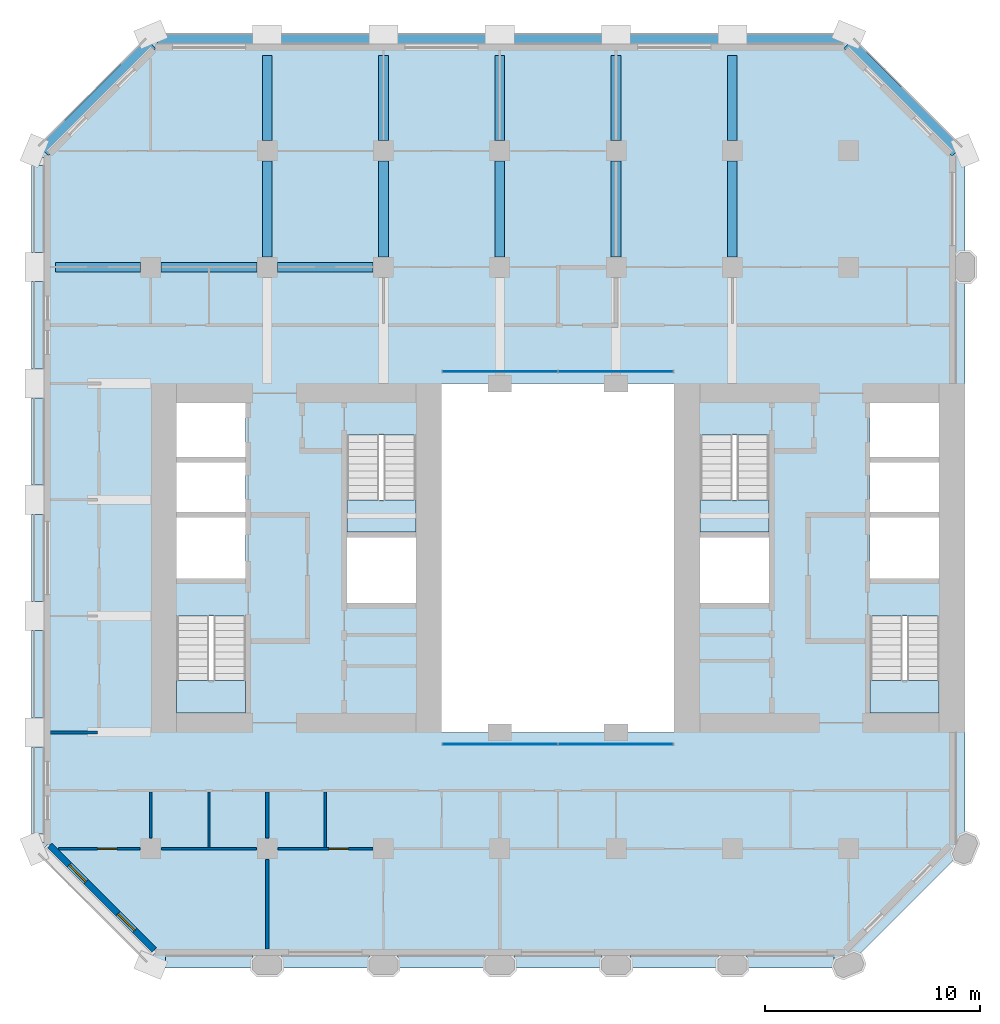
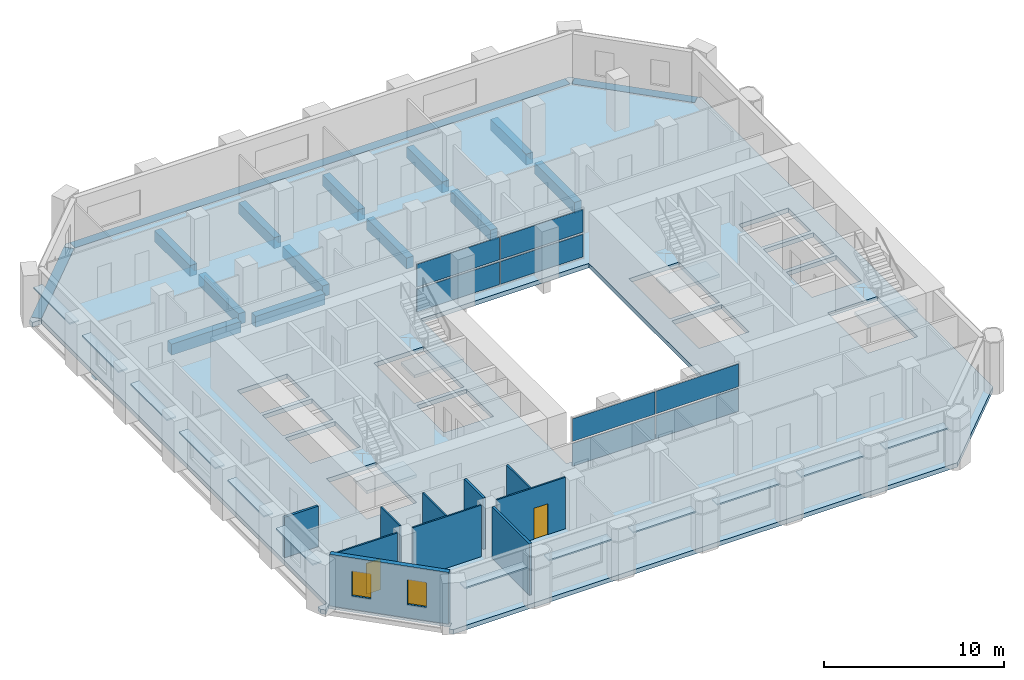
# One storey, part 5 of 13: 20 plates, 16 beams, 10 walls, 5 slabs, 2 doors, 2 windows, 4 openings, 6 elements without a shape of their own.
"""IFC4 building model written with IfcOpenShell, lengths in metres."""

from ifc_helpers import new_model, si_unit, direction, frame, frame_2d, origin, origin_2d, place, context, subcontext, project, spatial, polyline, rectangle, outline, extrude, material, layer, layer_set, material_profile, profile_set, type_object, element, fill, aggregate, save


model = new_model("IFC4")

# Units and contexts
model_context = context("Model", 3, precision=1e-05, world=origin(), true_north=direction((0.0, 1.0)))
body_context = subcontext(model_context, "Body", "Model", "MODEL_VIEW")
ifc_project = project(units=[si_unit("LENGTHUNIT", "METRE"), si_unit("AREAUNIT", "SQUARE_METRE"), si_unit("VOLUMEUNIT", "CUBIC_METRE"), si_unit("PLANEANGLEUNIT", "RADIAN"), si_unit("MASSUNIT", "GRAM", prefix="KILO")], contexts=[model_context])

# Site, building, storey
site_placement = place(None, origin())
site = spatial("IfcSite", under=ifc_project, at=site_placement, CompositionType="ELEMENT")
building_placement = place(site_placement, origin())
building = spatial("IfcBuilding", under=site, at=building_placement, Name="Tabaq Tower and Sports Hall", CompositionType="ELEMENT")
storey_placement = place(building_placement, frame((0.0, 0.0, 114.39990234375)))
storey = spatial("IfcBuildingStorey", under=building, at=storey_placement, Name="L27", CompositionType="ELEMENT", Elevation=114.39990234375)

# Beams
ifc_material_1 = material(Name="Concrete C40/50", Category="concrete")
ifc_material_profile_1 = material_profile(ifc_material_1, rectangle(XDim=0.449951171875, YDim=0.75, at=origin_2d()), Name="CB 450x750")
ifc_profile_set_1 = profile_set([ifc_material_profile_1], Name="Concrete C40/50")
beam_type_1 = type_object("IfcBeamType", Name="PT CANTILEVER BEAM CB 450x750 C40/50", PredefinedType="BEAM", material=ifc_profile_set_1)
beam_1_placement = place(storey_placement, frame((0.97509765625, 37.800048828125, -0.6748046875), z_axis=(1.0, 0.0, 0.0), x_axis=(0.0, 1.0, 0.0)))
element("IfcBeam", 1, at=beam_1_placement, inside=storey, type_object=beam_type_1, Name="Cantilever Beam L27 W7 span 1", PredefinedType="BEAM", context=body_context, shape_type="SweptSolid", body=[
    extrude(rectangle(XDim=0.449951171875, YDim=0.75, at=origin_2d()), origin(), (0.0, 0.0, 1.0), 3.949951171875),
])
beam_2_placement = place(storey_placement, frame((5.875, 37.800048828125, -0.6748046875), z_axis=(1.0, 0.0, 0.0), x_axis=(0.0, 1.0, 0.0)))
element("IfcBeam", 2, at=beam_2_placement, inside=storey, type_object=beam_type_1, Name="Cantilever Beam L27 W7 span 2", PredefinedType="BEAM", context=body_context, shape_type="SweptSolid", body=[
    extrude(rectangle(XDim=0.449951171875, YDim=0.75, at=origin_2d()), origin(), (0.0, 0.0, 1.0), 4.449951171875),
])
beam_3_placement = place(storey_placement, frame((11.27490234375, 37.800048828125, -0.6748046875), z_axis=(1.0, 0.0, 0.0), x_axis=(0.0, 1.0, 0.0)))
element("IfcBeam", 3, at=beam_3_placement, inside=storey, type_object=beam_type_1, Name="Cantilever Beam L27 W7 span 3", PredefinedType="BEAM", context=body_context, shape_type="SweptSolid", body=[
    extrude(rectangle(XDim=0.449951171875, YDim=0.75, at=origin_2d()), origin(), (0.0, 0.0, 1.0), 4.4501953125),
])
beam_4_placement = place(storey_placement, frame((10.800048828125, 47.625, -0.6748046875), z_axis=(0.0, -1.0, 0.0), x_axis=(1.0, 0.0, 0.0)))
element("IfcBeam", 4, at=beam_4_placement, inside=storey, type_object=beam_type_1, Name="Cantilever Beam L27 N2 span 1", PredefinedType="BEAM", context=body_context, shape_type="SweptSolid", body=[
    extrude(rectangle(XDim=0.449951171875, YDim=0.75, at=origin_2d()), origin(), (0.0, 0.0, 1.0), 3.949951171875),
])
beam_5_placement = place(storey_placement, frame((10.800048828125, 42.72509765625, -0.6748046875), z_axis=(0.0, -1.0, 0.0), x_axis=(1.0, 0.0, 0.0)))
element("IfcBeam", 5, at=beam_5_placement, inside=storey, type_object=beam_type_1, Name="Cantilever Beam L27 N2 span 2", PredefinedType="BEAM", context=body_context, shape_type="SweptSolid", body=[
    extrude(rectangle(XDim=0.449951171875, YDim=0.75, at=origin_2d()), origin(), (0.0, 0.0, 1.0), 4.4501953125),
])
beam_6_placement = place(storey_placement, frame((16.199951171875, 47.625, -0.6748046875), z_axis=(0.0, -1.0, 0.0), x_axis=(1.0, 0.0, 0.0)))
element("IfcBeam", 6, at=beam_6_placement, inside=storey, type_object=beam_type_1, Name="Cantilever Beam L27 N3 span 1", PredefinedType="BEAM", context=body_context, shape_type="SweptSolid", body=[
    extrude(rectangle(XDim=0.449951171875, YDim=0.75, at=origin_2d()), origin(), (0.0, 0.0, 1.0), 3.949951171875),
])
beam_7_placement = place(storey_placement, frame((16.199951171875, 42.72509765625, -0.6748046875), z_axis=(0.0, -1.0, 0.0), x_axis=(1.0, 0.0, 0.0)))
element("IfcBeam", 7, at=beam_7_placement, inside=storey, type_object=beam_type_1, Name="Cantilever Beam L27 N3 span 2", PredefinedType="BEAM", context=body_context, shape_type="SweptSolid", body=[
    extrude(rectangle(XDim=0.449951171875, YDim=0.75, at=origin_2d()), origin(), (0.0, 0.0, 1.0), 4.4501953125),
])
beam_8_placement = place(storey_placement, frame((21.60009765625, 47.625, -0.6748046875), z_axis=(0.0, -1.0, 0.0), x_axis=(1.0, 0.0, 0.0)))
element("IfcBeam", 8, at=beam_8_placement, inside=storey, type_object=beam_type_1, Name="Cantilever Beam L27 N4 span 1", PredefinedType="BEAM", context=body_context, shape_type="SweptSolid", body=[
    extrude(rectangle(XDim=0.449951171875, YDim=0.75, at=origin_2d()), origin(), (0.0, 0.0, 1.0), 3.949951171875),
])
beam_9_placement = place(storey_placement, frame((21.60009765625, 42.72509765625, -0.6748046875), z_axis=(0.0, -1.0, 0.0), x_axis=(1.0, 0.0, 0.0)))
element("IfcBeam", 9, at=beam_9_placement, inside=storey, type_object=beam_type_1, Name="Cantilever Beam L27 N4 span 2", PredefinedType="BEAM", context=body_context, shape_type="SweptSolid", body=[
    extrude(rectangle(XDim=0.449951171875, YDim=0.75, at=origin_2d()), origin(), (0.0, 0.0, 1.0), 4.4501953125),
])
beam_10_placement = place(storey_placement, frame((27.0, 47.625, -0.6748046875), z_axis=(0.0, -1.0, 0.0), x_axis=(1.0, 0.0, 0.0)))
element("IfcBeam", 10, at=beam_10_placement, inside=storey, type_object=beam_type_1, Name="Cantilever Beam L27 N5 span 1", PredefinedType="BEAM", context=body_context, shape_type="SweptSolid", body=[
    extrude(rectangle(XDim=0.449951171875, YDim=0.75, at=origin_2d()), origin(), (0.0, 0.0, 1.0), 3.949951171875),
])
beam_11_placement = place(storey_placement, frame((27.0, 42.72509765625, -0.6748046875), z_axis=(0.0, -1.0, 0.0), x_axis=(1.0, 0.0, 0.0)))
element("IfcBeam", 11, at=beam_11_placement, inside=storey, type_object=beam_type_1, Name="Cantilever Beam L27 N5 span 2", PredefinedType="BEAM", context=body_context, shape_type="SweptSolid", body=[
    extrude(rectangle(XDim=0.449951171875, YDim=0.75, at=origin_2d()), origin(), (0.0, 0.0, 1.0), 4.4501953125),
])
beam_12_placement = place(storey_placement, frame((32.39990234375, 47.625, -0.6748046875), z_axis=(0.0, -1.0, 0.0), x_axis=(1.0, 0.0, 0.0)))
element("IfcBeam", 12, at=beam_12_placement, inside=storey, type_object=beam_type_1, Name="Cantilever Beam L27 N6 span 1", PredefinedType="BEAM", context=body_context, shape_type="SweptSolid", body=[
    extrude(rectangle(XDim=0.449951171875, YDim=0.75, at=origin_2d()), origin(), (0.0, 0.0, 1.0), 3.949951171875),
])
beam_13_placement = place(storey_placement, frame((32.39990234375, 42.72509765625, -0.6748046875), z_axis=(0.0, -1.0, 0.0), x_axis=(1.0, 0.0, 0.0)))
element("IfcBeam", 13, at=beam_13_placement, inside=storey, type_object=beam_type_1, Name="Cantilever Beam L27 N6 span 2", PredefinedType="BEAM", context=body_context, shape_type="SweptSolid", body=[
    extrude(rectangle(XDim=0.449951171875, YDim=0.75, at=origin_2d()), origin(), (0.0, 0.0, 1.0), 4.4501953125),
])
ifc_material_2 = material(Name="Concrete C40/50", Category="concrete")
ifc_material_profile_2 = material_profile(ifc_material_2, rectangle(XDim=0.60009765625, YDim=0.300048828125, at=origin_2d()), Name="EB 600x300")
ifc_profile_set_2 = profile_set([ifc_material_profile_2], Name="Concrete C40/50")
beam_type_2 = type_object("IfcBeamType", Name="PT EDGE BEAM EB 600x300 C40/50", PredefinedType="SPANDREL", material=ifc_profile_set_2)
beam_14_placement = place(storey_placement, frame((42.81103515625, 43.16455078125, -0.14990234375), z_axis=(-0.707089559252, 0.707124002701, 0.0), x_axis=(-0.707124002701, -0.707089559252, 0.0)))
element("IfcBeam", 14, at=beam_14_placement, inside=storey, type_object=beam_type_2, Name="Edge Beam L27 1", PredefinedType="SPANDREL", context=body_context, shape_type="SweptSolid", body=[
    extrude(rectangle(XDim=0.60009765625, YDim=0.300048828125, at=origin_2d()), origin(), (0.0, 0.0, 1.0), 7.088134765625),
])
beam_15_placement = place(storey_placement, frame((37.50146484375, 48.300048828125, -0.14990234375), z_axis=(-1.0, 0.0, 0.0), x_axis=(0.0, -1.0, 0.0)))
element("IfcBeam", 15, at=beam_15_placement, inside=storey, type_object=beam_type_2, Name="Edge Beam L27 2", PredefinedType="SPANDREL", context=body_context, shape_type="SweptSolid", body=[
    extrude(rectangle(XDim=0.60009765625, YDim=0.300048828125, at=origin_2d()), origin(), (0.0, 0.0, 1.0), 31.802978515625),
])
beam_16_placement = place(storey_placement, frame((5.401123046875, 48.1767578125, -0.14990234375), z_axis=(-0.707106781187, -0.707106781187, 0.0), x_axis=(0.707106781187, -0.707106781187, 0.0)))
element("IfcBeam", 16, at=beam_16_placement, inside=storey, type_object=beam_type_2, Name="Edge Beam L27 3", PredefinedType="SPANDREL", context=body_context, shape_type="SweptSolid", body=[
    extrude(rectangle(XDim=0.60009765625, YDim=0.300048828125, at=origin_2d()), origin(), (0.0, 0.0, 1.0), 7.03955078125),
])

# Curtain wall, plates
ifc_material_3 = material(Name="Aluminium alloy 6063-T6 framed glazing", Category="aluminium")
curtain_wall_type = type_object("IfcCurtainWallType", Name="CW1 curtain wall", PredefinedType="USERDEFINED", material=ifc_material_3)
curtain_wall_1_placement = place(storey_placement, origin())
curtain_wall_1 = element("IfcCurtainWall", 17, at=curtain_wall_1_placement, inside=storey, type_object=curtain_wall_type, Name="Atrium glazing L27 S", ObjectType="ATRIUM ENCLOSURE", PredefinedType="USERDEFINED")
ifc_material_4 = material(Name="Clear low-emissivity glass 28 mm", Category="glass")
ifc_layer_1 = layer(ifc_material_4, 0.028076171875)
ifc_layer_set_1 = layer_set([ifc_layer_1], Name="CW1 glass panel 28")
plate_type_1 = type_object("IfcPlateType", Name="CW1 glass panel 28", PredefinedType="CURTAIN_PANEL", material=ifc_layer_set_1)
plate_1_placement = place(storey_placement, frame((21.614990234375, 15.64990234375, 0.14013671875), z_axis=(0.0, 0.0, 1.0), x_axis=(1.0, 0.0, 0.0)))
plate_1 = element("IfcPlate", 18, at=plate_1_placement, type_object=plate_type_1, Name="CW1 panel 1.1", PredefinedType="CURTAIN_PANEL", context=body_context, shape_type="SweptSolid", body=[
    extrude(rectangle(XDim=5.31005859375, YDim=0.028076171875, at=origin_2d()), origin(), (0.0, 0.0, 1.0), 1.5400390625),
])
plate_2_placement = place(storey_placement, frame((21.614990234375, 15.64990234375, 1.820068359375), z_axis=(0.0, 0.0, 1.0), x_axis=(1.0, 0.0, 0.0)))
plate_2 = element("IfcPlate", 19, at=plate_2_placement, type_object=plate_type_1, Name="CW1 panel 1.2", PredefinedType="CURTAIN_PANEL", context=body_context, shape_type="SweptSolid", body=[
    extrude(rectangle(XDim=5.31005859375, YDim=0.028076171875, at=origin_2d()), origin(), (0.0, 0.0, 1.0), 1.5400390625),
])
plate_3_placement = place(storey_placement, frame((26.985107421875, 15.64990234375, 0.14013671875), z_axis=(0.0, 0.0, 1.0), x_axis=(1.0, 0.0, 0.0)))
plate_3 = element("IfcPlate", 20, at=plate_3_placement, type_object=plate_type_1, Name="CW1 panel 2.1", PredefinedType="CURTAIN_PANEL", context=body_context, shape_type="SweptSolid", body=[
    extrude(rectangle(XDim=5.31005859375, YDim=0.028076171875, at=origin_2d()), origin(), (0.0, 0.0, 1.0), 1.5400390625),
])
plate_4_placement = place(storey_placement, frame((26.985107421875, 15.64990234375, 1.820068359375), z_axis=(0.0, 0.0, 1.0), x_axis=(1.0, 0.0, 0.0)))
plate_4 = element("IfcPlate", 21, at=plate_4_placement, type_object=plate_type_1, Name="CW1 panel 2.2", PredefinedType="CURTAIN_PANEL", context=body_context, shape_type="SweptSolid", body=[
    extrude(rectangle(XDim=5.31005859375, YDim=0.028076171875, at=origin_2d()), origin(), (0.0, 0.0, 1.0), 1.5400390625),
])
aggregate(curtain_wall_1, [plate_1, plate_2, plate_3, plate_4])

curtain_wall_2_placement = place(storey_placement, origin())
curtain_wall_2 = element("IfcCurtainWall", 22, at=curtain_wall_2_placement, inside=storey, type_object=curtain_wall_type, Name="Atrium glazing L27 N", ObjectType="ATRIUM ENCLOSURE", PredefinedType="USERDEFINED")
plate_5_placement = place(storey_placement, frame((21.614990234375, 32.949951171875, 0.14013671875), z_axis=(0.0, 0.0, 1.0), x_axis=(1.0, 0.0, 0.0)))
plate_5 = element("IfcPlate", 23, at=plate_5_placement, type_object=plate_type_1, Name="CW1 panel 1.1", PredefinedType="CURTAIN_PANEL", context=body_context, shape_type="SweptSolid", body=[
    extrude(rectangle(XDim=5.31005859375, YDim=0.028076171875, at=origin_2d()), origin(), (0.0, 0.0, 1.0), 1.5400390625),
])
plate_6_placement = place(storey_placement, frame((21.614990234375, 32.949951171875, 1.820068359375), z_axis=(0.0, 0.0, 1.0), x_axis=(1.0, 0.0, 0.0)))
plate_6 = element("IfcPlate", 24, at=plate_6_placement, type_object=plate_type_1, Name="CW1 panel 1.2", PredefinedType="CURTAIN_PANEL", context=body_context, shape_type="SweptSolid", body=[
    extrude(rectangle(XDim=5.31005859375, YDim=0.028076171875, at=origin_2d()), origin(), (0.0, 0.0, 1.0), 1.5400390625),
])
plate_7_placement = place(storey_placement, frame((26.985107421875, 32.949951171875, 0.14013671875), z_axis=(0.0, 0.0, 1.0), x_axis=(1.0, 0.0, 0.0)))
plate_7 = element("IfcPlate", 25, at=plate_7_placement, type_object=plate_type_1, Name="CW1 panel 2.1", PredefinedType="CURTAIN_PANEL", context=body_context, shape_type="SweptSolid", body=[
    extrude(rectangle(XDim=5.31005859375, YDim=0.028076171875, at=origin_2d()), origin(), (0.0, 0.0, 1.0), 1.5400390625),
])
plate_8_placement = place(storey_placement, frame((26.985107421875, 32.949951171875, 1.820068359375), z_axis=(0.0, 0.0, 1.0), x_axis=(1.0, 0.0, 0.0)))
plate_8 = element("IfcPlate", 26, at=plate_8_placement, type_object=plate_type_1, Name="CW1 panel 2.2", PredefinedType="CURTAIN_PANEL", context=body_context, shape_type="SweptSolid", body=[
    extrude(rectangle(XDim=5.31005859375, YDim=0.028076171875, at=origin_2d()), origin(), (0.0, 0.0, 1.0), 1.5400390625),
])
aggregate(curtain_wall_2, [plate_5, plate_6, plate_7, plate_8])

# Stair, slab
ifc_material_5 = material(Name="Concrete C40/50", Category="concrete")
stair_type = type_object("IfcStairType", Name="Exit stair", PredefinedType="HALF_TURN_STAIR", material=ifc_material_5)
stair_1_placement = place(storey_placement, origin())
stair_1 = element("IfcStair", 27, at=stair_1_placement, inside=storey, type_object=stair_type, Name="L27 Exit stair ST1", PredefinedType="HALF_TURN_STAIR")
ifc_material_6 = material(Name="Concrete C40/50", Category="concrete")
ifc_layer_2 = layer(ifc_material_6, 0.199951171875)
ifc_layer_set_2 = layer_set([ifc_layer_2], Name="Exit stair landing")
slab_type_1 = type_object("IfcSlabType", Name="Exit stair landing", PredefinedType="LANDING", material=ifc_layer_set_2)
slab_1_placement = place(storey_placement, frame((0.0, 0.0, 1.7001953125)))
slab_1 = element("IfcSlab", 28, at=slab_1_placement, type_object=slab_type_1, Name="ST1 landing 1", PredefinedType="LANDING", context=body_context, shape_type="SweptSolid", body=[
    extrude(outline(polyline([(6.60009765625, 18.60009765625), (6.60009765625, 17.10009765625), (9.800048828125, 17.10009765625), (9.800048828125, 18.60009765625), (6.60009765625, 18.60009765625)])), origin(), (0.0, 0.0, 1.0), 0.199951171875),
])
aggregate(stair_1, [slab_1])

stair_2_placement = place(storey_placement, origin())
stair_2 = element("IfcStair", 29, at=stair_2_placement, inside=storey, type_object=stair_type, Name="L27 Exit stair ST2", PredefinedType="HALF_TURN_STAIR")
slab_2_placement = place(storey_placement, frame((0.0, 0.0, 1.7001953125)))
slab_2 = element("IfcSlab", 30, at=slab_2_placement, type_object=slab_type_1, Name="ST2 landing 1", PredefinedType="LANDING", context=body_context, shape_type="SweptSolid", body=[
    extrude(outline(polyline([(14.5, 27.0), (14.5, 25.5), (17.699951171875, 25.5), (17.699951171875, 27.0), (14.5, 27.0)])), origin(), (0.0, 0.0, 1.0), 0.199951171875),
])
aggregate(stair_2, [slab_2])

stair_3_placement = place(storey_placement, origin())
stair_3 = element("IfcStair", 31, at=stair_3_placement, inside=storey, type_object=stair_type, Name="L27 Exit stair ST3", PredefinedType="HALF_TURN_STAIR")
slab_3_placement = place(storey_placement, frame((0.0, 0.0, 1.7001953125)))
slab_3 = element("IfcSlab", 32, at=slab_3_placement, type_object=slab_type_1, Name="ST3 landing 1", PredefinedType="LANDING", context=body_context, shape_type="SweptSolid", body=[
    extrude(outline(polyline([(38.800048828125, 18.60009765625), (38.800048828125, 17.10009765625), (42.0, 17.10009765625), (42.0, 18.60009765625), (38.800048828125, 18.60009765625)])), origin(), (0.0, 0.0, 1.0), 0.199951171875),
])
aggregate(stair_3, [slab_3])

stair_4_placement = place(storey_placement, origin())
stair_4 = element("IfcStair", 33, at=stair_4_placement, inside=storey, type_object=stair_type, Name="L27 Exit stair ST4", PredefinedType="HALF_TURN_STAIR")
slab_4_placement = place(storey_placement, frame((0.0, 0.0, 1.7001953125)))
slab_4 = element("IfcSlab", 34, at=slab_4_placement, type_object=slab_type_1, Name="ST4 landing 1", PredefinedType="LANDING", context=body_context, shape_type="SweptSolid", body=[
    extrude(outline(polyline([(30.89990234375, 27.0), (30.89990234375, 25.5), (34.10009765625, 25.5), (34.10009765625, 27.0), (30.89990234375, 27.0)])), origin(), (0.0, 0.0, 1.0), 0.199951171875),
])
aggregate(stair_4, [slab_4])

# Slab
ifc_material_7 = material(Name="Concrete C40/50", Category="concrete")
ifc_layer_3 = layer(ifc_material_7, 0.300048828125)
ifc_layer_set_3 = layer_set([ifc_layer_3], Name="PT FLOOR SLAB 300 C40/50")
slab_type_2 = type_object("IfcSlabType", Name="PT FLOOR SLAB 300 C40/50", PredefinedType="FLOOR", material=ifc_layer_set_3)
slab_5_placement = place(storey_placement, frame((0.0, 0.0, -0.2998046875)))
element("IfcSlab", 35, at=slab_5_placement, inside=storey, type_object=slab_type_2, Name="Floor Slab L27", PredefinedType="FLOOR", context=body_context, shape_type="SweptSolid", body=[
    extrude(outline(polyline([(0.0, 11.0986328125), (0.0, 10.800048828125), (0.211181640625, 10.5888671875), (0.63525390625, 11.01318359375), (5.6474609375, 6.0009765625), (5.57666015625, 5.930419921875), (5.22314453125, 5.57666015625), (5.39990234375, 5.39990234375), (37.800048828125, 5.39990234375), (43.199951171875, 10.800048828125), (43.199951171875, 43.199951171875), (43.023193359375, 43.376708984375), (42.669677734375, 43.023193359375), (42.598876953125, 42.952392578125), (37.5869140625, 47.964599609375), (37.657470703125, 48.035400390625), (38.010986328125, 48.388916015625), (37.800048828125, 48.60009765625), (37.50146484375, 48.60009765625), (37.50146484375, 48.10009765625), (37.50146484375, 48.0), (5.698486328125, 48.0), (5.698486328125, 48.10009765625), (5.698486328125, 48.60009765625), (5.39990234375, 48.60009765625), (5.18896484375, 48.388916015625), (5.54248046875, 48.035400390625), (5.61328125, 47.964599609375), (0.63525390625, 42.98681640625), (0.211181640625, 43.4111328125), (0.0, 43.199951171875), (0.0, 42.9013671875), (0.5, 42.9013671875), (0.60009765625, 42.9013671875), (0.60009765625, 11.0986328125), (0.5, 11.0986328125), (0.0, 11.0986328125)]), holes=[polyline([(6.60009765625, 21.599365234375), (9.800048828125, 21.599365234375), (9.800048828125, 17.10009765625), (6.60009765625, 17.10009765625), (6.60009765625, 21.599365234375)]), polyline([(17.699951171875, 25.25), (17.699951171875, 22.199951171875), (14.5, 22.199951171875), (14.5, 25.25), (17.699951171875, 25.25)]), polyline([(18.89990234375, 32.39990234375), (29.699951171875, 32.39990234375), (29.699951171875, 16.199951171875), (18.89990234375, 16.199951171875), (18.89990234375, 32.39990234375)]), polyline([(6.60009765625, 26.175048828125), (9.800048828125, 26.175048828125), (9.800048828125, 23.35009765625), (6.60009765625, 23.35009765625), (6.60009765625, 26.175048828125)]), polyline([(9.800048828125, 28.72509765625), (9.800048828125, 26.425048828125), (6.60009765625, 26.425048828125), (6.60009765625, 28.72509765625), (9.800048828125, 28.72509765625)]), polyline([(17.699951171875, 29.99951171875), (17.699951171875, 25.5), (14.5, 25.5), (14.5, 29.99951171875), (17.699951171875, 29.99951171875)]), polyline([(6.60009765625, 31.5), (9.800048828125, 31.5), (9.800048828125, 28.97509765625), (6.60009765625, 28.97509765625), (6.60009765625, 31.5)]), polyline([(42.0, 21.599365234375), (42.0, 17.10009765625), (38.800048828125, 17.10009765625), (38.800048828125, 21.599365234375), (42.0, 21.599365234375)]), polyline([(34.10009765625, 25.25), (34.10009765625, 22.199951171875), (30.89990234375, 22.199951171875), (30.89990234375, 25.25), (34.10009765625, 25.25)]), polyline([(42.0, 26.175048828125), (42.0, 23.35009765625), (38.800048828125, 23.35009765625), (38.800048828125, 26.175048828125), (42.0, 26.175048828125)]), polyline([(42.0, 28.72509765625), (42.0, 26.425048828125), (38.800048828125, 26.425048828125), (38.800048828125, 28.72509765625), (42.0, 28.72509765625)]), polyline([(34.10009765625, 29.99951171875), (34.10009765625, 25.5), (30.89990234375, 25.5), (30.89990234375, 29.99951171875), (34.10009765625, 29.99951171875)]), polyline([(42.0, 31.5), (42.0, 28.97509765625), (38.800048828125, 28.97509765625), (38.800048828125, 31.5), (42.0, 31.5)])]), origin(), (0.0, 0.0, 1.0), 0.2998046875),
])

# Plates
ifc_material_8 = material(Name="White precast concrete C60/75 blade", Category="concrete")
ifc_layer_4 = layer(ifc_material_8, 0.10009765625)
ifc_layer_set_4 = layer_set([ifc_layer_4], Name="White precast concrete C60/75 sunshade 100")
plate_type_2 = type_object("IfcPlateType", Name="White precast concrete C60/75 sunshade 100", PredefinedType="USERDEFINED", material=ifc_layer_set_4)
for number, where, z_axis, x_axis, name in (
    (36, (8.10009765625, 5.550048828125, 2.60009765625), (0.0, 0.0, 1.0), (1.0, 0.0, 0.0), "Sunshade L27 S"),
    (37, (13.5, 5.550048828125, 2.60009765625), (0.0, 0.0, 1.0), (1.0, 0.0, 0.0), "Sunshade L27 S"),
    (38, (18.89990234375, 5.550048828125, 2.60009765625), (0.0, 0.0, 1.0), (1.0, 0.0, 0.0), "Sunshade L27 S"),
    (39, (24.300048828125, 5.550048828125, 2.60009765625), (0.0, 0.0, 1.0), (1.0, 0.0, 0.0), "Sunshade L27 S"),
    (40, (29.699951171875, 5.550048828125, 2.60009765625), (0.0, 0.0, 1.0), (1.0, 0.0, 0.0), "Sunshade L27 S"),
    (41, (35.10009765625, 5.550048828125, 2.60009765625), (0.0, 0.0, 1.0), (1.0, 0.0, 0.0), "Sunshade L27 S"),
    (42, (0.14990234375, 40.5, 2.60009765625), (0.0, 0.0, 1.0), (0.0, -1.0, 0.0), "Sunshade L27 W"),
    (43, (0.14990234375, 35.10009765625, 2.60009765625), (0.0, 0.0, 1.0), (0.0, -1.0, 0.0), "Sunshade L27 W"),
    (44, (0.14990234375, 29.699951171875, 2.60009765625), (0.0, 0.0, 1.0), (0.0, -1.0, 0.0), "Sunshade L27 W"),
    (45, (0.14990234375, 24.300048828125, 2.60009765625), (0.0, 0.0, 1.0), (0.0, -1.0, 0.0), "Sunshade L27 W"),
    (46, (0.14990234375, 18.89990234375, 2.60009765625), (0.0, 0.0, 1.0), (0.0, -1.0, 0.0), "Sunshade L27 W"),
    (47, (0.14990234375, 13.5, 2.60009765625), (0.0, 0.0, 1.0), (0.0, -1.0, 0.0), "Sunshade L27 W"),
):
    element("IfcPlate", number, at=place(storey_placement, frame(where, z_axis=z_axis, x_axis=x_axis)), inside=storey, type_object=plate_type_2, Name=name, ObjectType="SUNSHADE", PredefinedType="USERDEFINED", context=body_context, shape_type="SweptSolid", body=[
        extrude(rectangle(XDim=4.050048828125, YDim=0.60009765625, at=origin_2d()), origin(), (0.0, 0.0, 1.0), 0.10009765625),
    ])

# Wall, opening, door
ifc_material_9 = material(Name="Gypsum board on steel studs", Category="steel")
ifc_layer_5 = layer(ifc_material_9, 0.10009765625)
ifc_layer_set_5 = layer_set([ifc_layer_5], Name="Partition 100 Gypsum board")
wall_type_1 = type_object("IfcWallType", Name="Partition 100 Gypsum board", PredefinedType="PARTITIONING", material=ifc_layer_set_5)
wall_1_placement = place(storey_placement, frame((1.112060546875, 10.800048828125, 0.0), z_axis=(0.0, 0.0, 1.0), x_axis=(1.0, 0.0, 0.0)))
wall_1 = element("IfcWall", 48, at=wall_1_placement, inside=storey, type_object=wall_type_1, Name="Partition wall L27", PredefinedType="PARTITIONING", context=body_context, shape_type="SweptSolid", body=[
    extrude(rectangle(XDim=3.79296875, YDim=0.10009765625, at=frame_2d((1.896484375, 0.0))), origin(), (0.0, 0.0, 1.0), 3.5),
])
opening_1_placement = place(wall_1_placement, frame((1.81298828125, 0.0, 0.0)))
opening_1 = element("IfcOpeningElement", 49, at=opening_1_placement, cuts=wall_1, Name="Opening L27-019", PredefinedType="OPENING", context=body_context, shape_type="SweptSolid", body=[
    extrude(rectangle(XDim=0.89990234375, YDim=2.10009765625, at=frame_2d((0.449951171875, 1.050048828125))), frame((0.0, 0.050048828125, 0.0), z_axis=(0.0, -1.0, 0.0), x_axis=(1.0, 0.0, 0.0)), (0.0, 0.0, 1.0), 0.10009765625),
])
ifc_material_10 = material(Name="Timber leaf in steel frame", Category="steel")
door_type_1 = type_object("IfcDoorType", Name="Internal door 900 right hand", OperationType="SINGLE_SWING_RIGHT", PredefinedType="DOOR", material=ifc_material_10)
door_1_placement = place(opening_1_placement, origin())
door_1 = element("IfcDoor", 50, at=door_1_placement, inside=storey, type_object=door_type_1, Name="Internal door L27-019", OperationType="SINGLE_SWING_RIGHT", OverallHeight=2.10009765625, OverallWidth=0.89990234375, PredefinedType="DOOR", context=body_context, shape_type="SweptSolid", body=[
    extrude(rectangle(XDim=0.89990234375, YDim=2.10009765625, at=frame_2d((0.449951171875, 1.050048828125))), frame((0.0, 0.02490234375, 0.0), z_axis=(0.0, -1.0, 0.0), x_axis=(1.0, 0.0, 0.0)), (0.0, 0.0, 1.0), 0.050048828125),
])
fill(opening_1, door_1)

# Walls
wall_2_placement = place(storey_placement, frame((5.39990234375, 11.294921875, 0.0), z_axis=(0.0, 0.0, 1.0), x_axis=(0.0, 1.0, 0.0)))
element("IfcWall", 51, at=wall_2_placement, inside=storey, type_object=wall_type_1, Name="Partition wall L27", PredefinedType="PARTITIONING", context=body_context, shape_type="SweptSolid", body=[
    extrude(rectangle(XDim=2.130126953125, YDim=0.10009765625, at=frame_2d((1.06494140625, 0.0))), origin(), (0.0, 0.0, 1.0), 3.5),
])
wall_3_placement = place(storey_placement, frame((8.10009765625, 10.85009765625, 0.0), z_axis=(0.0, 0.0, 1.0), x_axis=(0.0, 1.0, 0.0)))
element("IfcWall", 52, at=wall_3_placement, inside=storey, type_object=wall_type_1, Name="Partition wall L27", PredefinedType="PARTITIONING", context=body_context, shape_type="SweptSolid", body=[
    extrude(rectangle(XDim=2.574951171875, YDim=0.10009765625, at=frame_2d((1.28759765625, 0.0))), origin(), (0.0, 0.0, 1.0), 3.5),
])
wall_4_placement = place(storey_placement, frame((5.89501953125, 10.800048828125, 0.0), z_axis=(0.0, 0.0, 1.0), x_axis=(1.0, 0.0, 0.0)))
element("IfcWall", 53, at=wall_4_placement, inside=storey, type_object=wall_type_1, Name="Partition wall L27", PredefinedType="PARTITIONING", context=body_context, shape_type="SweptSolid", body=[
    extrude(rectangle(XDim=4.409912109375, YDim=0.10009765625, at=frame_2d((2.205078125, 0.0))), origin(), (0.0, 0.0, 1.0), 3.5),
])
wall_5_placement = place(storey_placement, frame((13.5, 10.85009765625, 0.0), z_axis=(0.0, 0.0, 1.0), x_axis=(0.0, 1.0, 0.0)))
element("IfcWall", 54, at=wall_5_placement, inside=storey, type_object=wall_type_1, Name="Partition wall L27", PredefinedType="PARTITIONING", context=body_context, shape_type="SweptSolid", body=[
    extrude(rectangle(XDim=2.574951171875, YDim=0.10009765625, at=frame_2d((1.28759765625, 0.0))), origin(), (0.0, 0.0, 1.0), 3.5),
])

# Wall, opening, door
wall_6_placement = place(storey_placement, frame((11.294921875, 10.800048828125, 0.0), z_axis=(0.0, 0.0, 1.0), x_axis=(1.0, 0.0, 0.0)))
wall_6 = element("IfcWall", 55, at=wall_6_placement, inside=storey, type_object=wall_type_1, Name="Partition wall L27", PredefinedType="PARTITIONING", context=body_context, shape_type="SweptSolid", body=[
    extrude(rectangle(XDim=4.41015625, YDim=0.10009765625, at=frame_2d((2.205078125, 0.0))), origin(), (0.0, 0.0, 1.0), 3.5),
])
opening_2_placement = place(wall_6_placement, frame((2.375, 0.0, 0.0)))
opening_2 = element("IfcOpeningElement", 56, at=opening_2_placement, cuts=wall_6, Name="Opening L27-030", PredefinedType="OPENING", context=body_context, shape_type="SweptSolid", body=[
    extrude(rectangle(XDim=0.89990234375, YDim=2.10009765625, at=frame_2d((0.449951171875, 1.050048828125))), frame((0.0, 0.050048828125, 0.0), z_axis=(0.0, -1.0, 0.0), x_axis=(1.0, 0.0, 0.0)), (0.0, 0.0, 1.0), 0.10009765625),
])
ifc_material_11 = material(Name="Timber leaf in steel frame", Category="steel")
door_type_2 = type_object("IfcDoorType", Name="Internal door 900 left hand", OperationType="SINGLE_SWING_LEFT", PredefinedType="DOOR", material=ifc_material_11)
door_2_placement = place(opening_2_placement, origin())
door_2 = element("IfcDoor", 57, at=door_2_placement, inside=storey, type_object=door_type_2, Name="Internal door L27-030", OperationType="SINGLE_SWING_LEFT", OverallHeight=2.10009765625, OverallWidth=0.89990234375, PredefinedType="DOOR", context=body_context, shape_type="SweptSolid", body=[
    extrude(rectangle(XDim=0.89990234375, YDim=2.10009765625, at=frame_2d((0.449951171875, 1.050048828125))), frame((0.0, 0.02490234375, 0.0), z_axis=(0.0, -1.0, 0.0), x_axis=(1.0, 0.0, 0.0)), (0.0, 0.0, 1.0), 0.050048828125),
])
fill(opening_2, door_2)

# Walls
ifc_material_12 = material(Name="Blockwork", Category="masonry")
ifc_layer_6 = layer(ifc_material_12, 0.14990234375)
ifc_layer_set_6 = layer_set([ifc_layer_6], Name="Separating wall 150 Blockwork")
wall_type_2 = type_object("IfcWallType", Name="Separating wall 150 Blockwork", PredefinedType="PARTITIONING", material=ifc_layer_set_6)
wall_7_placement = place(storey_placement, frame((2.925048828125, 16.199951171875, 0.0), z_axis=(0.0, 0.0, 1.0), x_axis=(-1.0, 0.0, 0.0)))
element("IfcWall", 58, at=wall_7_placement, inside=storey, type_object=wall_type_2, Name="Separating wall L27", PredefinedType="PARTITIONING", context=body_context, shape_type="SweptSolid", body=[
    extrude(rectangle(XDim=2.174072265625, YDim=0.14990234375, at=frame_2d((1.0869140625, 0.0))), origin(), (0.0, 0.0, 1.0), 2.75),
])
wall_8_placement = place(storey_placement, frame((10.800048828125, 11.294921875, 0.0), z_axis=(0.0, 0.0, 1.0), x_axis=(0.0, 1.0, 0.0)))
element("IfcWall", 59, at=wall_8_placement, inside=storey, type_object=wall_type_2, Name="Separating wall L27", PredefinedType="PARTITIONING", context=body_context, shape_type="SweptSolid", body=[
    extrude(rectangle(XDim=2.130126953125, YDim=0.14990234375, at=frame_2d((1.06494140625, 0.0))), origin(), (0.0, 0.0, 1.0), 3.5),
])
wall_9_placement = place(storey_placement, frame((10.800048828125, 6.15087890625, 0.0), z_axis=(0.0, 0.0, 1.0), x_axis=(0.0, 1.0, 0.0)))
element("IfcWall", 60, at=wall_9_placement, inside=storey, type_object=wall_type_2, Name="Separating wall L27", PredefinedType="PARTITIONING", context=body_context, shape_type="SweptSolid", body=[
    extrude(rectangle(XDim=4.154052734375, YDim=0.14990234375, at=frame_2d((2.0771484375, 0.0))), origin(), (0.0, 0.0, 1.0), 3.5),
])

# Wall, openings, windows
ifc_material_13 = material(Name="White precast concrete C60/75", Category="concrete")
ifc_layer_7 = layer(ifc_material_13, 0.300048828125)
ifc_layer_set_7 = layer_set([ifc_layer_7], Name="White precast concrete C60/75 external wall 300")
wall_type_3 = type_object("IfcWallType", Name="White precast concrete C60/75 external wall 300", PredefinedType="SOLIDWALL", material=ifc_layer_set_7)
wall_10_placement = place(storey_placement, frame((0.698974609375, 10.949462890625, 0.0), z_axis=(0.0, 0.0, 1.0), x_axis=(0.707106781187, -0.707106781187, 0.0)))
wall_10 = element("IfcWall", 61, at=wall_10_placement, inside=storey, type_object=wall_type_3, Name="External Wall L27 SW", PredefinedType="SOLIDWALL", context=body_context, shape_type="SweptSolid", body=[
    extrude(rectangle(XDim=6.85986328125, YDim=0.300048828125, at=frame_2d((3.429931640625, 0.0))), origin(), (0.0, 0.0, 1.0), 3.5),
])
opening_3_placement = place(wall_10_placement, frame((1.27978515625, 0.0, 0.89990234375)))
opening_3 = element("IfcOpeningElement", 62, at=opening_3_placement, cuts=wall_10, Name="Opening W1B", PredefinedType="OPENING", context=body_context, shape_type="SweptSolid", body=[
    extrude(rectangle(XDim=1.10009765625, YDim=1.699951171875, at=frame_2d((0.550048828125, 0.85009765625))), frame((0.0, 0.16015625, 0.0), z_axis=(0.0, -1.0, 0.0), x_axis=(1.0, 0.0, 0.0)), (0.0, 0.0, 1.0), 0.320068359375),
])
opening_4_placement = place(wall_10_placement, frame((4.479736328125, 0.0, 0.89990234375)))
opening_4 = element("IfcOpeningElement", 63, at=opening_4_placement, cuts=wall_10, Name="Opening W1B", PredefinedType="OPENING", context=body_context, shape_type="SweptSolid", body=[
    extrude(rectangle(XDim=1.10009765625, YDim=1.699951171875, at=frame_2d((0.550048828125, 0.85009765625))), frame((0.0, 0.16015625, 0.0), z_axis=(0.0, -1.0, 0.0), x_axis=(1.0, 0.0, 0.0)), (0.0, 0.0, 1.0), 0.320068359375),
])
ifc_material_14 = material(Name="Aluminium framed clear glazing", Category="aluminium")
window_type = type_object("IfcWindowType", Name="Window W1B", PartitioningType="SINGLE_PANEL", PredefinedType="WINDOW", material=ifc_material_14)
window_1_placement = place(opening_3_placement, origin())
window_1 = element("IfcWindow", 64, at=window_1_placement, inside=storey, type_object=window_type, Name="Window W1B L27", OverallHeight=1.699951171875, OverallWidth=1.10009765625, PartitioningType="SINGLE_PANEL", PredefinedType="WINDOW", context=body_context, shape_type="SweptSolid", body=[
    extrude(rectangle(XDim=1.10009765625, YDim=1.699951171875, at=frame_2d((0.550048828125, 0.85009765625))), frame((0.0, 0.030029296875, 0.0), z_axis=(0.0, -1.0, 0.0), x_axis=(1.0, 0.0, 0.0)), (0.0, 0.0, 1.0), 0.06005859375),
])
fill(opening_3, window_1)
window_2_placement = place(opening_4_placement, origin())
window_2 = element("IfcWindow", 65, at=window_2_placement, inside=storey, type_object=window_type, Name="Window W1B L27", OverallHeight=1.699951171875, OverallWidth=1.10009765625, PartitioningType="SINGLE_PANEL", PredefinedType="WINDOW", context=body_context, shape_type="SweptSolid", body=[
    extrude(rectangle(XDim=1.10009765625, YDim=1.699951171875, at=frame_2d((0.550048828125, 0.85009765625))), frame((0.0, 0.030029296875, 0.0), z_axis=(0.0, -1.0, 0.0), x_axis=(1.0, 0.0, 0.0)), (0.0, 0.0, 1.0), 0.06005859375),
])
fill(opening_4, window_2)

save(model, "model.ifc")
